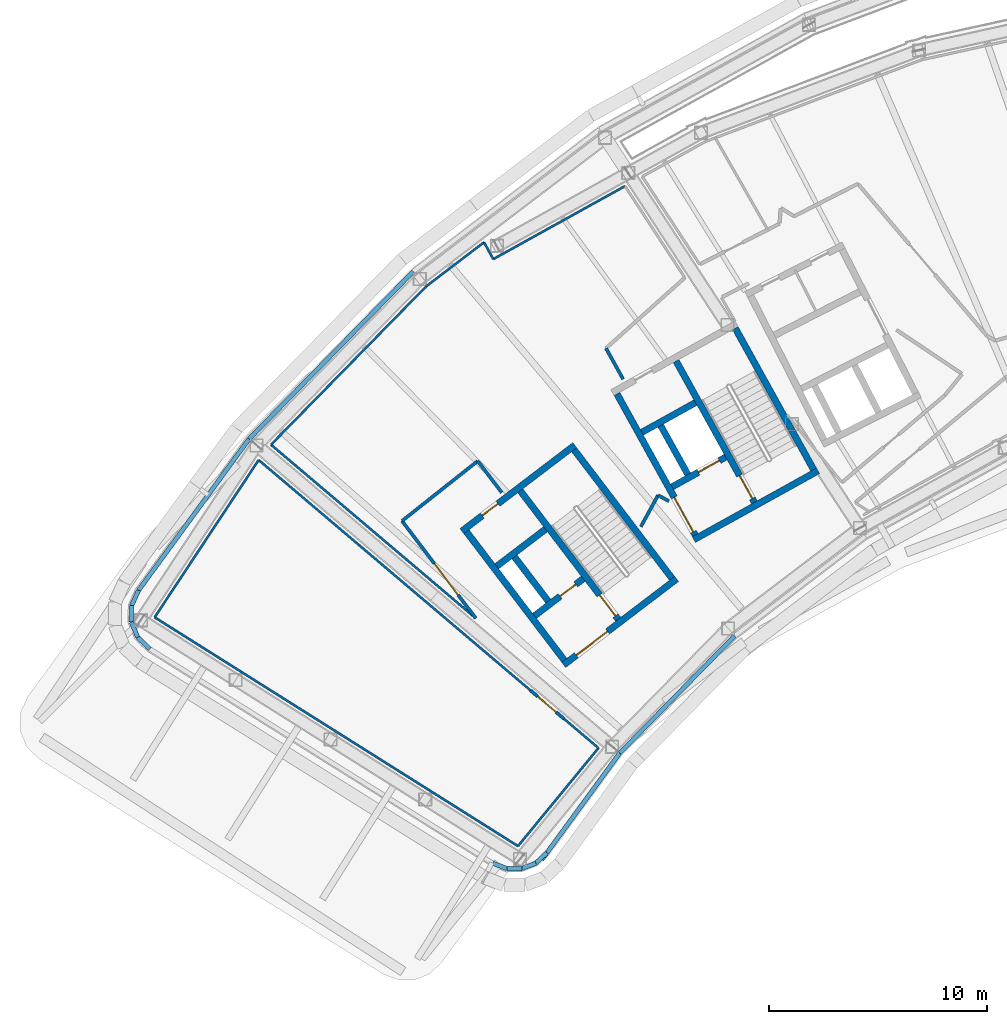
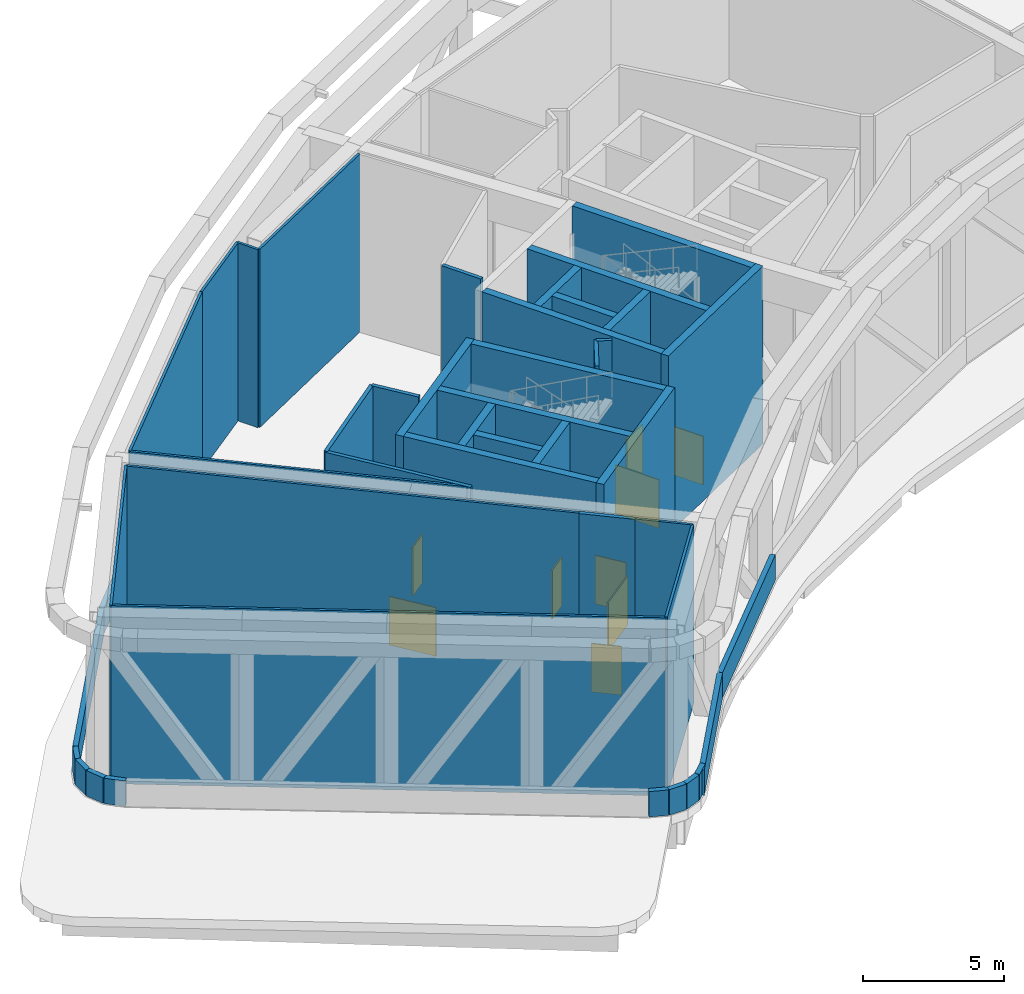
# One storey, part 7 of 27: 44 walls, 9 doors, 9 openings.
"""IFC4 building model written with IfcOpenShell, lengths in metres."""

from ifc_helpers import new_model, si_unit, direction, frame, frame_2d, origin, place, context, subcontext, project, spatial, rectangle, extrude, material, layer, layer_set, type_object, element, fill, save


model = new_model("IFC4")

# Units and contexts
model_context = context("Model", 3, precision=1e-05, world=origin(), true_north=direction((0.0, 1.0)))
body_context = subcontext(model_context, "Body", "Model", "MODEL_VIEW")
ifc_project = project(units=[si_unit("LENGTHUNIT", "METRE"), si_unit("AREAUNIT", "SQUARE_METRE"), si_unit("VOLUMEUNIT", "CUBIC_METRE"), si_unit("PLANEANGLEUNIT", "RADIAN"), si_unit("MASSUNIT", "GRAM", prefix="KILO")], contexts=[model_context])

# Site, building, storey
site_placement = place(None, origin())
site = spatial("IfcSite", under=ifc_project, at=site_placement, CompositionType="ELEMENT")
building_placement = place(site_placement, origin())
building = spatial("IfcBuilding", under=site, at=building_placement, Name="Tuul Gate Civic Tower", CompositionType="ELEMENT")
storey_placement = place(building_placement, frame((0.0, 0.0, 201.5)))
storey = spatial("IfcBuildingStorey", under=building, at=storey_placement, Name="Wind floor 1", CompositionType="ELEMENT", Elevation=201.5)

# Wall, opening, door
ifc_material_1 = material(Name="Concrete C50/60", Category="concrete")
ifc_layer_1 = layer(ifc_material_1, 0.300048828125)
ifc_layer_set_1 = layer_set([ifc_layer_1], Name="Concrete C50/60")
wall_type_1 = type_object("IfcWallType", Name="Core wall C50/60", PredefinedType="SHEAR", material=ifc_layer_set_1)
wall_1_placement = place(storey_placement, frame((-31.19091796875, -13.669677734375, 0.0), z_axis=(0.0, 0.0, 1.0), x_axis=(-0.795606717756, -0.605813461934, 0.0)))
wall_1 = element("IfcWall", 1, at=wall_1_placement, inside=storey, type_object=wall_type_1, Name="Core wall", PredefinedType="SHEAR", context=body_context, shape_type="SweptSolid", body=[
    extrude(rectangle(XDim=6.5, YDim=0.300048828125, at=frame_2d((3.25, 0.0))), origin(), (0.0, 0.0, 1.0), 7.699951171875),
])
opening_1_placement = place(wall_1_placement, frame((3.97509765625, 0.0, 0.0)))
opening_1 = element("IfcOpeningElement", 2, at=opening_1_placement, cuts=wall_1, Name="Opening LB-W1-LOBBY-1", PredefinedType="OPENING", context=body_context, shape_type="SweptSolid", body=[
    extrude(rectangle(XDim=1.800048828125, YDim=2.10009765625, at=frame_2d((0.89990234375, 1.050048828125))), frame((0.0, 0.16015625, 0.0), z_axis=(0.0, -1.0, 0.0), x_axis=(1.0, 0.0, 0.0)), (0.0, 0.0, 1.0), 0.320068359375),
])
ifc_material_2 = material(Name="Steel", Category="steel")
door_type_1 = type_object("IfcDoorType", Name="Lobby door", OperationType="DOUBLE_DOOR_SINGLE_SWING", PredefinedType="DOOR", material=ifc_material_2)
door_1_placement = place(opening_1_placement, origin())
door_1 = element("IfcDoor", 3, at=door_1_placement, inside=storey, type_object=door_type_1, Name="Lobby door W1-LOBBY", OperationType="DOUBLE_DOOR_SINGLE_SWING", OverallHeight=2.10009765625, OverallWidth=1.800048828125, PredefinedType="DOOR", context=body_context, shape_type="SweptSolid", body=[
    extrude(rectangle(XDim=1.800048828125, YDim=2.10009765625, at=frame_2d((0.89990234375, 1.050048828125))), frame((0.0, 0.02490234375, 0.0), z_axis=(0.0, -1.0, 0.0), x_axis=(1.0, 0.0, 0.0)), (0.0, 0.0, 1.0), 0.050048828125),
])
fill(opening_1, door_1)

wall_2_placement = place(storey_placement, frame((-35.470947265625, -13.66064453125, 0.0), z_axis=(0.0, 0.0, 1.0), x_axis=(-0.795615822227, -0.605801504968, 0.0)))
wall_2 = element("IfcWall", 4, at=wall_2_placement, inside=storey, type_object=wall_type_1, Name="Core wall", PredefinedType="SHEAR", context=body_context, shape_type="SweptSolid", body=[
    extrude(rectangle(XDim=2.800048828125, YDim=0.300048828125, at=frame_2d((1.39990234375, 0.0))), origin(), (0.0, 0.0, 1.0), 7.699951171875),
])
opening_2_placement = place(wall_2_placement, frame((0.425048828125, 0.0, 0.0)))
opening_2 = element("IfcOpeningElement", 5, at=opening_2_placement, cuts=wall_2, Name="Opening FB-W1A1", PredefinedType="OPENING", context=body_context, shape_type="SweptSolid", body=[
    extrude(rectangle(XDim=0.89990234375, YDim=2.10009765625, at=frame_2d((0.449951171875, 1.050048828125))), frame((0.0, 0.16015625, 0.0), z_axis=(0.0, -1.0, 0.0), x_axis=(1.0, 0.0, 0.0)), (0.0, 0.0, 1.0), 0.320068359375),
])
ifc_material_3 = material(Name="Steel", Category="steel")
door_type_2 = type_object("IfcDoorType", Name="Store door", OperationType="NOTDEFINED", PredefinedType="DOOR", material=ifc_material_3)
door_2_placement = place(opening_2_placement, frame((0.89990234375, 0.0, 0.0), z_axis=(0.0, 0.0, 1.0), x_axis=(-1.0, 0.0, 0.0)))
door_2 = element("IfcDoor", 6, at=door_2_placement, inside=storey, type_object=door_type_2, Name="Store door W1A1", OperationType="SINGLE_SWING_RIGHT", OverallHeight=2.10009765625, OverallWidth=0.89990234375, PredefinedType="DOOR", context=body_context, shape_type="SweptSolid", body=[
    extrude(rectangle(XDim=0.89990234375, YDim=2.10009765625, at=frame_2d((0.449951171875, 1.050048828125))), frame((0.0, 0.02490234375, 0.0), z_axis=(0.0, -1.0, 0.0), x_axis=(1.0, 0.0, 0.0)), (0.0, 0.0, 1.0), 0.050048828125),
])
fill(opening_2, door_2)

# Wall
wall_3_placement = place(storey_placement, frame((-37.197509765625, -11.39306640625, 0.0), z_axis=(0.0, 0.0, 1.0), x_axis=(-0.795583820278, -0.605843531707, 0.0)))
element("IfcWall", 7, at=wall_3_placement, inside=storey, type_object=wall_type_1, Name="Core wall", PredefinedType="SHEAR", context=body_context, shape_type="SweptSolid", body=[
    extrude(rectangle(XDim=2.7998046875, YDim=0.300048828125, at=frame_2d((1.39990234375, 0.0))), origin(), (0.0, 0.0, 1.0), 7.699951171875),
])

# Wall, opening, door
wall_4_placement = place(storey_placement, frame((-35.855224609375, -7.543212890625, 0.0), z_axis=(0.0, 0.0, 1.0), x_axis=(-0.79563860527, -0.605771582202, 0.0)))
wall_4 = element("IfcWall", 8, at=wall_4_placement, inside=storey, type_object=wall_type_1, Name="Core wall", PredefinedType="SHEAR", context=body_context, shape_type="SweptSolid", body=[
    extrude(rectangle(XDim=6.5, YDim=0.300048828125, at=frame_2d((3.25, 0.0))), origin(), (0.0, 0.0, 1.0), 7.699951171875),
])
opening_3_placement = place(wall_4_placement, frame((4.425048828125, 0.0, 0.0)))
opening_3 = element("IfcOpeningElement", 9, at=opening_3_placement, cuts=wall_4, Name="Opening AF-D18", PredefinedType="OPENING", context=body_context, shape_type="SweptSolid", body=[
    extrude(rectangle(XDim=0.89990234375, YDim=2.10009765625, at=frame_2d((0.449951171875, 1.050048828125))), frame((0.0, 0.16015625, 0.0), z_axis=(0.0, -1.0, 0.0), x_axis=(1.0, 0.0, 0.0)), (0.0, 0.0, 1.0), 0.320068359375),
])
ifc_material_4 = material(Name="Timber door leaf", Category="wood")
door_type_3 = type_object("IfcDoorType", Name="Door D09", OperationType="NOTDEFINED", PredefinedType="DOOR", material=ifc_material_4)
door_3_placement = place(opening_3_placement, origin())
door_3 = element("IfcDoor", 10, at=door_3_placement, inside=storey, type_object=door_type_3, Name="Door AF-D18", OperationType="SINGLE_SWING_LEFT", OverallHeight=2.10009765625, OverallWidth=0.89990234375, PredefinedType="DOOR", context=body_context, shape_type="SweptSolid", body=[
    extrude(rectangle(XDim=0.89990234375, YDim=2.10009765625, at=frame_2d((0.449951171875, 1.050048828125))), frame((0.0, 0.02490234375, 0.0), z_axis=(0.0, -1.0, 0.0), x_axis=(1.0, 0.0, 0.0)), (0.0, 0.0, 1.0), 0.050048828125),
])
fill(opening_3, door_3)

# Wall
wall_5_placement = place(storey_placement, frame((-31.401123046875, -13.64111328125, 0.0), z_axis=(0.0, 0.0, 1.0), x_axis=(-0.605769822278, 0.795639945213, 0.0)))
element("IfcWall", 11, at=wall_5_placement, inside=storey, type_object=wall_type_1, Name="Core wall", PredefinedType="SHEAR", context=body_context, shape_type="SweptSolid", body=[
    extrude(rectangle(XDim=7.39990234375, YDim=0.300048828125, at=frame_2d((3.699951171875, 0.0))), origin(), (0.0, 0.0, 1.0), 7.699951171875),
])

# Wall, opening, door
wall_6_placement = place(storey_placement, frame((-33.867431640625, -15.51904296875, 0.0), z_axis=(0.0, 0.0, 1.0), x_axis=(-0.605769822278, 0.795639945213, 0.0)))
wall_6 = element("IfcWall", 12, at=wall_6_placement, inside=storey, type_object=wall_type_1, Name="Core wall", PredefinedType="SHEAR", context=body_context, shape_type="SweptSolid", body=[
    extrude(rectangle(XDim=7.39990234375, YDim=0.300048828125, at=frame_2d((3.699951171875, 0.0))), origin(), (0.0, 0.0, 1.0), 7.699951171875),
])
opening_4_placement = place(wall_6_placement, frame((0.199951171875, 0.0, 0.0)))
opening_4 = element("IfcOpeningElement", 13, at=opening_4_placement, cuts=wall_6, Name="Opening SD-ST-1", PredefinedType="OPENING", context=body_context, shape_type="SweptSolid", body=[
    extrude(rectangle(XDim=1.199951171875, YDim=2.10009765625, at=frame_2d((0.60009765625, 1.050048828125))), frame((0.0, 0.16015625, 0.0), z_axis=(0.0, -1.0, 0.0), x_axis=(1.0, 0.0, 0.0)), (0.0, 0.0, 1.0), 0.320068359375),
])
ifc_material_5 = material(Name="Steel", Category="steel")
door_type_4 = type_object("IfcDoorType", Name="Stair door", OperationType="NOTDEFINED", PredefinedType="DOOR", material=ifc_material_5)
door_4_placement = place(opening_4_placement, origin())
door_4 = element("IfcDoor", 14, at=door_4_placement, inside=storey, type_object=door_type_4, Name="Stair door ST-1", OperationType="SINGLE_SWING_LEFT", OverallHeight=2.10009765625, OverallWidth=1.199951171875, PredefinedType="DOOR", context=body_context, shape_type="SweptSolid", body=[
    extrude(rectangle(XDim=1.199951171875, YDim=2.10009765625, at=frame_2d((0.60009765625, 1.050048828125))), frame((0.0, 0.02490234375, 0.0), z_axis=(0.0, -1.0, 0.0), x_axis=(1.0, 0.0, 0.0)), (0.0, 0.0, 1.0), 0.050048828125),
])
fill(opening_4, door_4)

# Walls
wall_7_placement = place(storey_placement, frame((-37.073486328125, -14.6923828125, 0.0), z_axis=(0.0, 0.0, 1.0), x_axis=(-0.605728760074, 0.79567120673, 0.0)))
element("IfcWall", 15, at=wall_7_placement, inside=storey, type_object=wall_type_1, Name="Core wall", PredefinedType="SHEAR", context=body_context, shape_type="SweptSolid", body=[
    extrude(rectangle(XDim=2.550048828125, YDim=0.300048828125, at=frame_2d((1.27490234375, 0.0))), origin(), (0.0, 0.0, 1.0), 7.699951171875),
])
wall_8_placement = place(storey_placement, frame((-36.333984375, -17.397216796875, 0.0), z_axis=(0.0, 0.0, 1.0), x_axis=(-0.605753921168, 0.795652051458, 0.0)))
element("IfcWall", 16, at=wall_8_placement, inside=storey, type_object=wall_type_1, Name="Core wall", PredefinedType="SHEAR", context=body_context, shape_type="SweptSolid", body=[
    extrude(rectangle(XDim=7.400146484375, YDim=0.300048828125, at=frame_2d((3.7001953125, 0.0))), origin(), (0.0, 0.0, 1.0), 7.699951171875),
])
wall_9_placement = place(storey_placement, frame((-24.711669921875, -8.7158203125, 0.0), z_axis=(0.0, 0.0, 1.0), x_axis=(-0.874629909008, -0.484791215132, 0.0)))
element("IfcWall", 17, at=wall_9_placement, inside=storey, type_object=wall_type_1, Name="Core wall", PredefinedType="SHEAR", context=body_context, shape_type="SweptSolid", body=[
    extrude(rectangle(XDim=6.5, YDim=0.300048828125, at=frame_2d((3.25, 0.0))), origin(), (0.0, 0.0, 1.0), 7.699951171875),
])

# Wall, opening, door
wall_10_placement = place(storey_placement, frame((-28.94580078125, -8.090087890625, 0.0), z_axis=(0.0, 0.0, 1.0), x_axis=(-0.874629840737, -0.484791338301, 0.0)))
wall_10 = element("IfcWall", 18, at=wall_10_placement, inside=storey, type_object=wall_type_1, Name="Core wall", PredefinedType="SHEAR", context=body_context, shape_type="SweptSolid", body=[
    extrude(rectangle(XDim=2.800048828125, YDim=0.300048828125, at=frame_2d((1.39990234375, 0.0))), origin(), (0.0, 0.0, 1.0), 7.699951171875),
])
opening_5_placement = place(wall_10_placement, frame((0.324951171875, 0.0, 0.0)))
opening_5 = element("IfcOpeningElement", 19, at=opening_5_placement, cuts=wall_10, Name="Opening LD-FF-1", PredefinedType="OPENING", context=body_context, shape_type="SweptSolid", body=[
    extrude(rectangle(XDim=1.10009765625, YDim=2.10009765625, at=frame_2d((0.550048828125, 1.050048828125))), frame((0.0, 0.16015625, 0.0), z_axis=(0.0, -1.0, 0.0), x_axis=(1.0, 0.0, 0.0)), (0.0, 0.0, 1.0), 0.320068359375),
])
ifc_material_6 = material(Name="Stainless steel", Category="steel")
door_type_5 = type_object("IfcDoorType", Name="Landing door", OperationType="DOUBLE_DOOR_SLIDING", PredefinedType="DOOR", material=ifc_material_6)
door_5_placement = place(opening_5_placement, origin())
door_5 = element("IfcDoor", 20, at=door_5_placement, inside=storey, type_object=door_type_5, Name="Fire-fighting lift FF-1 landing door", OperationType="DOUBLE_DOOR_SLIDING", OverallHeight=2.10009765625, OverallWidth=1.10009765625, PredefinedType="DOOR", context=body_context, shape_type="SweptSolid", body=[
    extrude(rectangle(XDim=1.10009765625, YDim=2.10009765625, at=frame_2d((0.550048828125, 1.050048828125))), frame((0.0, 0.02490234375, 0.0), z_axis=(0.0, -1.0, 0.0), x_axis=(1.0, 0.0, 0.0)), (0.0, 0.0, 1.0), 0.050048828125),
])
fill(opening_5, door_5)

# Walls
wall_11_placement = place(storey_placement, frame((-30.327392578125, -5.59716796875, 0.0), z_axis=(0.0, 0.0, 1.0), x_axis=(-0.874629840737, -0.484791338301, 0.0)))
element("IfcWall", 21, at=wall_11_placement, inside=storey, type_object=wall_type_1, Name="Core wall", PredefinedType="SHEAR", context=body_context, shape_type="SweptSolid", body=[
    extrude(rectangle(XDim=2.800048828125, YDim=0.300048828125, at=frame_2d((1.39990234375, 0.0))), origin(), (0.0, 0.0, 1.0), 7.699951171875),
])
wall_12_placement = place(storey_placement, frame((-24.91552734375, -8.6572265625, 0.0), z_axis=(0.0, 0.0, 1.0), x_axis=(-0.484777133038, 0.874637714304, 0.0)))
element("IfcWall", 22, at=wall_12_placement, inside=storey, type_object=wall_type_1, Name="Core wall", PredefinedType="SHEAR", context=body_context, shape_type="SweptSolid", body=[
    extrude(rectangle(XDim=7.400146484375, YDim=0.300048828125, at=frame_2d((3.7001953125, 0.0))), origin(), (0.0, 0.0, 1.0), 7.699951171875),
])

# Wall, opening, door
wall_13_placement = place(storey_placement, frame((-27.626953125, -10.16015625, 0.0), z_axis=(0.0, 0.0, 1.0), x_axis=(-0.484751894226, 0.874651702704, 0.0)))
wall_13 = element("IfcWall", 23, at=wall_13_placement, inside=storey, type_object=wall_type_1, Name="Core wall", PredefinedType="SHEAR", context=body_context, shape_type="SweptSolid", body=[
    extrude(rectangle(XDim=7.39990234375, YDim=0.300048828125, at=frame_2d((3.699951171875, 0.0))), origin(), (0.0, 0.0, 1.0), 7.699951171875),
])
opening_6_placement = place(wall_13_placement, frame((0.199951171875, 0.0, 0.0)))
opening_6 = element("IfcOpeningElement", 24, at=opening_6_placement, cuts=wall_13, Name="Opening SD-ST-2", PredefinedType="OPENING", context=body_context, shape_type="SweptSolid", body=[
    extrude(rectangle(XDim=1.199951171875, YDim=2.10009765625, at=frame_2d((0.60009765625, 1.050048828125))), frame((0.0, 0.16015625, 0.0), z_axis=(0.0, -1.0, 0.0), x_axis=(1.0, 0.0, 0.0)), (0.0, 0.0, 1.0), 0.320068359375),
])
door_6_placement = place(opening_6_placement, origin())
door_6 = element("IfcDoor", 25, at=door_6_placement, inside=storey, type_object=door_type_4, Name="Stair door ST-2", OperationType="SINGLE_SWING_LEFT", OverallHeight=2.10009765625, OverallWidth=1.199951171875, PredefinedType="DOOR", context=body_context, shape_type="SweptSolid", body=[
    extrude(rectangle(XDim=1.199951171875, YDim=2.10009765625, at=frame_2d((0.60009765625, 1.050048828125))), frame((0.0, 0.02490234375, 0.0), z_axis=(0.0, -1.0, 0.0), x_axis=(1.0, 0.0, 0.0)), (0.0, 0.0, 1.0), 0.050048828125),
])
fill(opening_6, door_6)

# Wall
wall_14_placement = place(storey_placement, frame((-30.680419921875, -8.8798828125, 0.0), z_axis=(0.0, 0.0, 1.0), x_axis=(-0.484724115216, 0.874667097888, 0.0)))
element("IfcWall", 26, at=wall_14_placement, inside=storey, type_object=wall_type_1, Name="Core wall", PredefinedType="SHEAR", context=body_context, shape_type="SweptSolid", body=[
    extrude(rectangle(XDim=2.550048828125, YDim=0.300048828125, at=frame_2d((1.27490234375, 0.0))), origin(), (0.0, 0.0, 1.0), 7.699951171875),
])

# Wall, opening, door
wall_15_placement = place(storey_placement, frame((-30.33837890625, -11.6630859375, 0.0), z_axis=(0.0, 0.0, 1.0), x_axis=(-0.484751894226, 0.874651702704, 0.0)))
wall_15 = element("IfcWall", 27, at=wall_15_placement, inside=storey, type_object=wall_type_1, Name="Core wall", PredefinedType="SHEAR", context=body_context, shape_type="SweptSolid", body=[
    extrude(rectangle(XDim=7.39990234375, YDim=0.300048828125, at=frame_2d((3.699951171875, 0.0))), origin(), (0.0, 0.0, 1.0), 7.699951171875),
])
opening_7_placement = place(wall_15_placement, frame((0.175048828125, 0.0, 0.0)))
opening_7 = element("IfcOpeningElement", 28, at=opening_7_placement, cuts=wall_15, Name="Opening LB-W2-FLOBBY-1", PredefinedType="OPENING", context=body_context, shape_type="SweptSolid", body=[
    extrude(rectangle(XDim=1.800048828125, YDim=2.10009765625, at=frame_2d((0.89990234375, 1.050048828125))), frame((0.0, 0.16015625, 0.0), z_axis=(0.0, -1.0, 0.0), x_axis=(1.0, 0.0, 0.0)), (0.0, 0.0, 1.0), 0.320068359375),
])
door_7_placement = place(opening_7_placement, frame((1.800048828125, 0.0, 0.0), z_axis=(0.0, 0.0, 1.0), x_axis=(-1.0, 0.0, 0.0)))
door_7 = element("IfcDoor", 29, at=door_7_placement, inside=storey, type_object=door_type_1, Name="Lobby door W2-FLOBBY", OperationType="DOUBLE_DOOR_SINGLE_SWING", OverallHeight=2.10009765625, OverallWidth=1.800048828125, PredefinedType="DOOR", context=body_context, shape_type="SweptSolid", body=[
    extrude(rectangle(XDim=1.800048828125, YDim=2.10009765625, at=frame_2d((0.900146484375, 1.050048828125))), frame((0.0, 0.02490234375, 0.0), z_axis=(0.0, -1.0, 0.0), x_axis=(1.0, 0.0, 0.0)), (0.0, 0.0, 1.0), 0.050048828125),
])
fill(opening_7, door_7)

ifc_material_7 = material(Name="Gypsum board partition")
ifc_layer_2 = layer(ifc_material_7, 0.14990234375)
ifc_layer_set_2 = layer_set([ifc_layer_2], Name="Gypsum board partition")
wall_type_2 = type_object("IfcWallType", Name="Corridor wall P150", PredefinedType="PARTITIONING", material=ifc_layer_set_2)
wall_16_placement = place(storey_placement, frame((-43.768798828125, -11.013671875, 0.0), z_axis=(0.0, 0.0, 1.0), x_axis=(0.604075189334, -0.796927327697, 0.0)))
wall_16 = element("IfcWall", 30, at=wall_16_placement, inside=storey, type_object=wall_type_2, Name="p045", PredefinedType="PARTITIONING", context=body_context, shape_type="SweptSolid", body=[
    extrude(rectangle(XDim=5.5966796875, YDim=0.14990234375, at=frame_2d((2.79833984375, 0.0))), origin(), (0.0, 0.0, 1.0), 7.699951171875),
])
opening_8_placement = place(wall_16_placement, frame((2.447998046875, 0.0, 0.0)))
opening_8 = element("IfcOpeningElement", 31, at=opening_8_placement, cuts=wall_16, Name="Opening AF-D15", PredefinedType="OPENING", context=body_context, shape_type="SweptSolid", body=[
    extrude(rectangle(XDim=1.800048828125, YDim=2.10009765625, at=frame_2d((0.89990234375, 1.050048828125))), frame((0.0, 0.0849609375, 0.0), z_axis=(0.0, -1.0, 0.0), x_axis=(1.0, 0.0, 0.0)), (0.0, 0.0, 1.0), 0.169921875),
])
ifc_material_8 = material(Name="Timber door leaf, double", Category="wood")
door_type_6 = type_object("IfcDoorType", Name="Door D18", OperationType="DOUBLE_DOOR_SINGLE_SWING", PredefinedType="DOOR", material=ifc_material_8)
door_8_placement = place(opening_8_placement, origin())
door_8 = element("IfcDoor", 32, at=door_8_placement, inside=storey, type_object=door_type_6, Name="Door AF-D15", OperationType="DOUBLE_DOOR_SINGLE_SWING", OverallHeight=2.10009765625, OverallWidth=1.800048828125, PredefinedType="DOOR", context=body_context, shape_type="SweptSolid", body=[
    extrude(rectangle(XDim=1.800048828125, YDim=2.10009765625, at=frame_2d((0.89990234375, 1.050048828125))), frame((0.0, 0.02490234375, 0.0), z_axis=(0.0, -1.0, 0.0), x_axis=(1.0, 0.0, 0.0)), (0.0, 0.0, 1.0), 0.050048828125),
])
fill(opening_8, door_8)

wall_17_placement = place(storey_placement, frame((-37.885986328125, -18.7744140625, 0.0), z_axis=(0.0, 0.0, 1.0), x_axis=(0.762808764013, -0.646624148595, 0.0)))
wall_17 = element("IfcWall", 33, at=wall_17_placement, inside=storey, type_object=wall_type_2, Name="p046", PredefinedType="PARTITIONING", context=body_context, shape_type="SweptSolid", body=[
    extrude(rectangle(XDim=2.021484375, YDim=0.14990234375, at=frame_2d((1.0107421875, 0.0))), origin(), (0.0, 0.0, 1.0), 7.699951171875),
])
opening_9_placement = place(wall_17_placement, frame((0.4365234375, 0.0, 0.0)))
opening_9 = element("IfcOpeningElement", 34, at=opening_9_placement, cuts=wall_17, Name="Opening AF-D16", PredefinedType="OPENING", context=body_context, shape_type="SweptSolid", body=[
    extrude(rectangle(XDim=1.10009765625, YDim=2.10009765625, at=frame_2d((0.550048828125, 1.050048828125))), frame((0.0, 0.0849609375, 0.0), z_axis=(0.0, -1.0, 0.0), x_axis=(1.0, 0.0, 0.0)), (0.0, 0.0, 1.0), 0.169921875),
])
ifc_material_9 = material(Name="Timber door leaf", Category="wood")
door_type_7 = type_object("IfcDoorType", Name="Door D11", OperationType="NOTDEFINED", PredefinedType="DOOR", material=ifc_material_9)
door_9_placement = place(opening_9_placement, frame((1.10009765625, 0.0, 0.0), z_axis=(0.0, 0.0, 1.0), x_axis=(-1.0, 0.0, 0.0)))
door_9 = element("IfcDoor", 35, at=door_9_placement, inside=storey, type_object=door_type_7, Name="Door AF-D16", OperationType="SINGLE_SWING_LEFT", OverallHeight=2.10009765625, OverallWidth=1.10009765625, PredefinedType="DOOR", context=body_context, shape_type="SweptSolid", body=[
    extrude(rectangle(XDim=1.10009765625, YDim=2.10009765625, at=frame_2d((0.550048828125, 1.050048828125))), frame((0.0, 0.02490234375, 0.0), z_axis=(0.0, -1.0, 0.0), x_axis=(1.0, 0.0, 0.0)), (0.0, 0.0, 1.0), 0.050048828125),
])
fill(opening_9, door_9)

# Walls
wall_18_placement = place(storey_placement, frame((-34.425048828125, -3.102783203125, 0.0), z_axis=(0.0, 0.0, 1.0), x_axis=(0.485002373992, -0.874512834224, 0.0)))
element("IfcWall", 36, at=wall_18_placement, inside=storey, type_object=wall_type_2, Name="p047", PredefinedType="PARTITIONING", context=body_context, shape_type="SweptSolid", body=[
    extrude(rectangle(XDim=1.618408203125, YDim=0.14990234375, at=frame_2d((0.80908203125, 0.0))), origin(), (0.0, 0.0, 1.0), 7.699951171875),
])
wall_19_placement = place(storey_placement, frame((-32.03955078125, -9.8349609375, 0.0), z_axis=(0.0, 0.0, 1.0), x_axis=(0.877135252232, -0.48024342712, 0.0)))
element("IfcWall", 37, at=wall_19_placement, inside=storey, type_object=wall_type_2, Name="p048", PredefinedType="PARTITIONING", context=body_context, shape_type="SweptSolid", body=[
    extrude(rectangle(XDim=0.565185546875, YDim=0.14990234375, at=frame_2d((0.28271484375, 0.0))), origin(), (0.0, 0.0, 1.0), 7.699951171875),
])
wall_20_placement = place(storey_placement, frame((-32.826416015625, -11.27392578125, 0.0), z_axis=(0.0, 0.0, 1.0), x_axis=(0.47978011304, 0.877388763965, 0.0)))
element("IfcWall", 38, at=wall_20_placement, inside=storey, type_object=wall_type_2, Name="p049", PredefinedType="PARTITIONING", context=body_context, shape_type="SweptSolid", body=[
    extrude(rectangle(XDim=1.64013671875, YDim=0.14990234375, at=frame_2d((0.820068359375, 0.0))), origin(), (0.0, 0.0, 1.0), 7.699951171875),
])
wall_21_placement = place(storey_placement, frame((-40.30078125, -8.266845703125, 0.0), z_axis=(0.0, 0.0, 1.0), x_axis=(0.605723418371, -0.795675273234, 0.0)))
element("IfcWall", 39, at=wall_21_placement, inside=storey, type_object=wall_type_2, Name="p050", PredefinedType="PARTITIONING", context=body_context, shape_type="SweptSolid", body=[
    extrude(rectangle(XDim=1.8173828125, YDim=0.14990234375, at=frame_2d((0.90869140625, 0.0))), origin(), (0.0, 0.0, 1.0), 7.699951171875),
])
wall_22_placement = place(storey_placement, frame((-43.768798828125, -11.013671875, 0.0), z_axis=(0.0, 0.0, 1.0), x_axis=(0.783901450878, 0.620885267429, 0.0)))
element("IfcWall", 40, at=wall_22_placement, inside=storey, type_object=wall_type_2, Name="p051", PredefinedType="PARTITIONING", context=body_context, shape_type="SweptSolid", body=[
    extrude(rectangle(XDim=4.424072265625, YDim=0.14990234375, at=frame_2d((2.2119140625, 0.0))), origin(), (0.0, 0.0, 1.0), 7.699951171875),
])
ifc_material_10 = material(Name="Concrete C40/50", Category="concrete")
ifc_layer_3 = layer(ifc_material_10, 0.199951171875)
ifc_layer_set_3 = layer_set([ifc_layer_3], Name="Concrete C40/50")
wall_type_3 = type_object("IfcWallType", Name="Crown parapet", PredefinedType="PARAPET", material=ifc_layer_set_3)
wall_23_placement = place(storey_placement, frame((-43.256591796875, 0.413330078125, 0.0), z_axis=(0.0, 0.0, 1.0), x_axis=(-0.700003468403, -0.714139443123, 0.0)))
element("IfcWall", 41, at=wall_23_placement, inside=storey, type_object=wall_type_3, Name="Parapet", PredefinedType="PARAPET", context=body_context, shape_type="SweptSolid", body=[
    extrude(rectangle(XDim=10.742431640625, YDim=0.199951171875, at=frame_2d((5.37109375, 0.0))), origin(), (0.0, 0.0, 1.0), 1.10009765625),
])
wall_24_placement = place(storey_placement, frame((-50.7763671875, -7.25830078125, 0.0), z_axis=(0.0, 0.0, 1.0), x_axis=(-0.589799899172, -0.80754942817, 0.0)))
element("IfcWall", 42, at=wall_24_placement, inside=storey, type_object=wall_type_3, Name="Parapet", PredefinedType="PARAPET", context=body_context, shape_type="SweptSolid", body=[
    extrude(rectangle(XDim=8.58837890625, YDim=0.199951171875, at=frame_2d((4.294189453125, 0.0))), origin(), (0.0, 0.0, 1.0), 1.10009765625),
])
wall_25_placement = place(storey_placement, frame((-55.841796875, -14.19384765625, 0.0), z_axis=(0.0, 0.0, 1.0), x_axis=(-0.411935592719, -0.911212964927, 0.0)))
element("IfcWall", 43, at=wall_25_placement, inside=storey, type_object=wall_type_3, Name="Parapet", PredefinedType="PARAPET", context=body_context, shape_type="SweptSolid", body=[
    extrude(rectangle(XDim=0.768798828125, YDim=0.199951171875, at=frame_2d((0.38427734375, 0.0))), origin(), (0.0, 0.0, 1.0), 1.10009765625),
])
wall_26_placement = place(storey_placement, frame((-56.158447265625, -14.894287109375, 0.0), z_axis=(0.0, 0.0, 1.0), x_axis=(-0.014899544476, -0.999888995626, 0.0)))
element("IfcWall", 44, at=wall_26_placement, inside=storey, type_object=wall_type_3, Name="Parapet", PredefinedType="PARAPET", context=body_context, shape_type="SweptSolid", body=[
    extrude(rectangle(XDim=0.753662109375, YDim=0.199951171875, at=frame_2d((0.376953125, 0.0))), origin(), (0.0, 0.0, 1.0), 1.10009765625),
])
wall_27_placement = place(storey_placement, frame((-56.169677734375, -15.64794921875, 0.0), z_axis=(0.0, 0.0, 1.0), x_axis=(0.38544458836, -0.922730984255, 0.0)))
element("IfcWall", 45, at=wall_27_placement, inside=storey, type_object=wall_type_3, Name="Parapet", PredefinedType="PARAPET", context=body_context, shape_type="SweptSolid", body=[
    extrude(rectangle(XDim=0.75244140625, YDim=0.199951171875, at=frame_2d((0.376220703125, 0.0))), origin(), (0.0, 0.0, 1.0), 1.10009765625),
])
wall_28_placement = place(storey_placement, frame((-55.879638671875, -16.34228515625, 0.0), z_axis=(0.0, 0.0, 1.0), x_axis=(0.722793438789, -0.691064139457, 0.0)))
element("IfcWall", 46, at=wall_28_placement, inside=storey, type_object=wall_type_3, Name="Parapet", PredefinedType="PARAPET", context=body_context, shape_type="SweptSolid", body=[
    extrude(rectangle(XDim=0.76953125, YDim=0.199951171875, at=frame_2d((0.384765625, 0.0))), origin(), (0.0, 0.0, 1.0), 1.10009765625),
])
wall_29_placement = place(storey_placement, frame((-39.618408203125, -26.688232421875, 0.0), z_axis=(0.0, 0.0, 1.0), x_axis=(0.931913281541, -0.362681176361, 0.0)))
element("IfcWall", 47, at=wall_29_placement, inside=storey, type_object=wall_type_3, Name="Parapet", PredefinedType="PARAPET", context=body_context, shape_type="SweptSolid", body=[
    extrude(rectangle(XDim=0.7021484375, YDim=0.199951171875, at=frame_2d((0.35107421875, 0.0))), origin(), (0.0, 0.0, 1.0), 1.10009765625),
])
for number, where, z_axis, x_axis, name in (
    (48, (-38.964111328125, -26.94287109375, 0.0), (0.0, 0.0, 1.0), (0.999992381518, 0.003903447905, 0.0), "Parapet"),
    (49, (-38.276123046875, -26.940185546875, 0.0), (0.0, 0.0, 1.0), (0.9292820248, 0.369370976639, 0.0), "Parapet"),
):
    element("IfcWall", number, at=place(storey_placement, frame(where, z_axis=z_axis, x_axis=x_axis)), inside=storey, type_object=wall_type_3, Name=name, PredefinedType="PARAPET", context=body_context, shape_type="SweptSolid", body=[
        extrude(rectangle(XDim=0.68798828125, YDim=0.199951171875, at=frame_2d((0.343994140625, 0.0))), origin(), (0.0, 0.0, 1.0), 1.10009765625),
    ])
wall_30_placement = place(storey_placement, frame((-37.63671875, -26.68603515625, 0.0), z_axis=(0.0, 0.0, 1.0), x_axis=(0.729526355073, 0.683952701036, 0.0)))
element("IfcWall", 50, at=wall_30_placement, inside=storey, type_object=wall_type_3, Name="Parapet", PredefinedType="PARAPET", context=body_context, shape_type="SweptSolid", body=[
    extrude(rectangle(XDim=0.70166015625, YDim=0.199951171875, at=frame_2d((0.350830078125, 0.0))), origin(), (0.0, 0.0, 1.0), 1.10009765625),
])
wall_31_placement = place(storey_placement, frame((-37.365966796875, -26.5361328125, 0.0), z_axis=(0.0, 0.0, 1.0), x_axis=(0.58992654574, 0.80745691565, 0.0)))
element("IfcWall", 51, at=wall_31_placement, inside=storey, type_object=wall_type_3, Name="Parapet", PredefinedType="PARAPET", context=body_context, shape_type="SweptSolid", body=[
    extrude(rectangle(XDim=6.050537109375, YDim=0.199951171875, at=frame_2d((3.025390625, 0.0))), origin(), (0.0, 0.0, 1.0), 1.10009765625),
])
wall_32_placement = place(storey_placement, frame((-33.796630859375, -21.650634765625, 0.0), z_axis=(0.0, 0.0, 1.0), x_axis=(0.699999403751, 0.714143427295, 0.0)))
element("IfcWall", 52, at=wall_32_placement, inside=storey, type_object=wall_type_3, Name="Parapet", PredefinedType="PARAPET", context=body_context, shape_type="SweptSolid", body=[
    extrude(rectangle(XDim=7.52587890625, YDim=0.199951171875, at=frame_2d((3.762939453125, 0.0))), origin(), (0.0, 0.0, 1.0), 1.10009765625),
])
ifc_material_11 = material(Name="Gypsum board partition")
ifc_layer_4 = layer(ifc_material_11, 0.10009765625)
ifc_layer_set_4 = layer_set([ifc_layer_4], Name="Gypsum board partition")
wall_type_4 = type_object("IfcWallType", Name="Partition P100", PredefinedType="PARTITIONING", material=ifc_layer_set_4)
wall_33_placement = place(storey_placement, frame((-40.502197265625, -15.376953125, 0.0), z_axis=(0.0, 0.0, 1.0), x_axis=(-0.762827406539, 0.64660215576, 0.0)))
element("IfcWall", 53, at=wall_33_placement, inside=storey, type_object=wall_type_4, Name="p097", PredefinedType="PARTITIONING", context=body_context, shape_type="SweptSolid", body=[
    extrude(rectangle(XDim=12.15185546875, YDim=0.10009765625, at=frame_2d((6.075927734375, 0.0))), origin(), (0.0, 0.0, 1.0), 7.699951171875),
])
wall_34_placement = place(storey_placement, frame((-49.77197265625, -7.51953125, 0.0), z_axis=(0.0, 0.0, 1.0), x_axis=(0.699995254474, 0.71414749437, 0.0)))
element("IfcWall", 54, at=wall_34_placement, inside=storey, type_object=wall_type_4, Name="p098", PredefinedType="PARTITIONING", context=body_context, shape_type="SweptSolid", body=[
    extrude(rectangle(XDim=10.160888671875, YDim=0.10009765625, at=frame_2d((5.08056640625, 0.0))), origin(), (0.0, 0.0, 1.0), 7.699951171875),
])
wall_35_placement = place(storey_placement, frame((-42.659423828125, -0.26318359375, 0.0), z_axis=(0.0, 0.0, 1.0), x_axis=(0.795617102167, 0.605799823985, 0.0)))
element("IfcWall", 55, at=wall_35_placement, inside=storey, type_object=wall_type_4, Name="p099", PredefinedType="PARTITIONING", context=body_context, shape_type="SweptSolid", body=[
    extrude(rectangle(XDim=3.32470703125, YDim=0.10009765625, at=frame_2d((1.662353515625, 0.0))), origin(), (0.0, 0.0, 1.0), 7.699951171875),
])
wall_36_placement = place(storey_placement, frame((-40.01416015625, 1.7509765625, 0.0), z_axis=(0.0, 0.0, 1.0), x_axis=(0.484865543378, -0.874588706104, 0.0)))
element("IfcWall", 56, at=wall_36_placement, inside=storey, type_object=wall_type_4, Name="p100", PredefinedType="PARTITIONING", context=body_context, shape_type="SweptSolid", body=[
    extrude(rectangle(XDim=0.880126953125, YDim=0.10009765625, at=frame_2d((0.43994140625, 0.0))), origin(), (0.0, 0.0, 1.0), 7.699951171875),
])
wall_37_placement = place(storey_placement, frame((-39.58740234375, 0.981201171875, 0.0), z_axis=(0.0, 0.0, 1.0), x_axis=(0.874579230627, 0.48488263462, 0.0)))
element("IfcWall", 57, at=wall_37_placement, inside=storey, type_object=wall_type_4, Name="p101", PredefinedType="PARTITIONING", context=body_context, shape_type="SweptSolid", body=[
    extrude(rectangle(XDim=6.8994140625, YDim=0.10009765625, at=frame_2d((3.44970703125, 0.0))), origin(), (0.0, 0.0, 1.0), 7.699951171875),
])
wall_38_placement = place(storey_placement, frame((-38.45703125, -25.90869140625, 0.0), z_axis=(0.0, 0.0, 1.0), x_axis=(-0.846206308293, 0.532855406095, 0.0)))
element("IfcWall", 58, at=wall_38_placement, inside=storey, type_object=wall_type_4, Name="p103", PredefinedType="PARTITIONING", context=body_context, shape_type="SweptSolid", body=[
    extrude(rectangle(XDim=19.669921875, YDim=0.10009765625, at=frame_2d((9.8349609375, 0.0))), origin(), (0.0, 0.0, 1.0), 7.699951171875),
])
wall_39_placement = place(storey_placement, frame((-55.101806640625, -15.427490234375, 0.0), z_axis=(0.0, 0.0, 1.0), x_axis=(0.551605326674, 0.834105247307, 0.0)))
element("IfcWall", 59, at=wall_39_placement, inside=storey, type_object=wall_type_4, Name="p104", PredefinedType="PARTITIONING", context=body_context, shape_type="SweptSolid", body=[
    extrude(rectangle(XDim=8.6396484375, YDim=0.10009765625, at=frame_2d((4.31982421875, 0.0))), origin(), (0.0, 0.0, 1.0), 7.699951171875),
])
wall_40_placement = place(storey_placement, frame((-50.336181640625, -8.22119140625, 0.0), z_axis=(0.0, 0.0, 1.0), x_axis=(0.762828819269, -0.646600489091, 0.0)))
element("IfcWall", 60, at=wall_40_placement, inside=storey, type_object=wall_type_4, Name="p105", PredefinedType="PARTITIONING", context=body_context, shape_type="SweptSolid", body=[
    extrude(rectangle(XDim=16.321044921875, YDim=0.10009765625, at=frame_2d((8.16064453125, 0.0))), origin(), (0.0, 0.0, 1.0), 7.699951171875),
])
wall_41_placement = place(storey_placement, frame((-36.343994140625, -20.08154296875, 0.0), z_axis=(0.0, 0.0, 1.0), x_axis=(0.762802629457, -0.64663138533, 0.0)))
element("IfcWall", 61, at=wall_41_placement, inside=storey, type_object=wall_type_4, Name="p106", PredefinedType="PARTITIONING", context=body_context, shape_type="SweptSolid", body=[
    extrude(rectangle(XDim=2.063720703125, YDim=0.10009765625, at=frame_2d((1.03173828125, 0.0))), origin(), (0.0, 0.0, 1.0), 7.699951171875),
])
wall_42_placement = place(storey_placement, frame((-34.769775390625, -21.416015625, 0.0), z_axis=(0.0, 0.0, 1.0), x_axis=(-0.634415093446, -0.772992554432, 0.0)))
element("IfcWall", 62, at=wall_42_placement, inside=storey, type_object=wall_type_4, Name="p107", PredefinedType="PARTITIONING", context=body_context, shape_type="SweptSolid", body=[
    extrude(rectangle(XDim=5.81201171875, YDim=0.10009765625, at=frame_2d((2.906005859375, 0.0))), origin(), (0.0, 0.0, 1.0), 7.699951171875),
])

save(model, "model.ifc")
